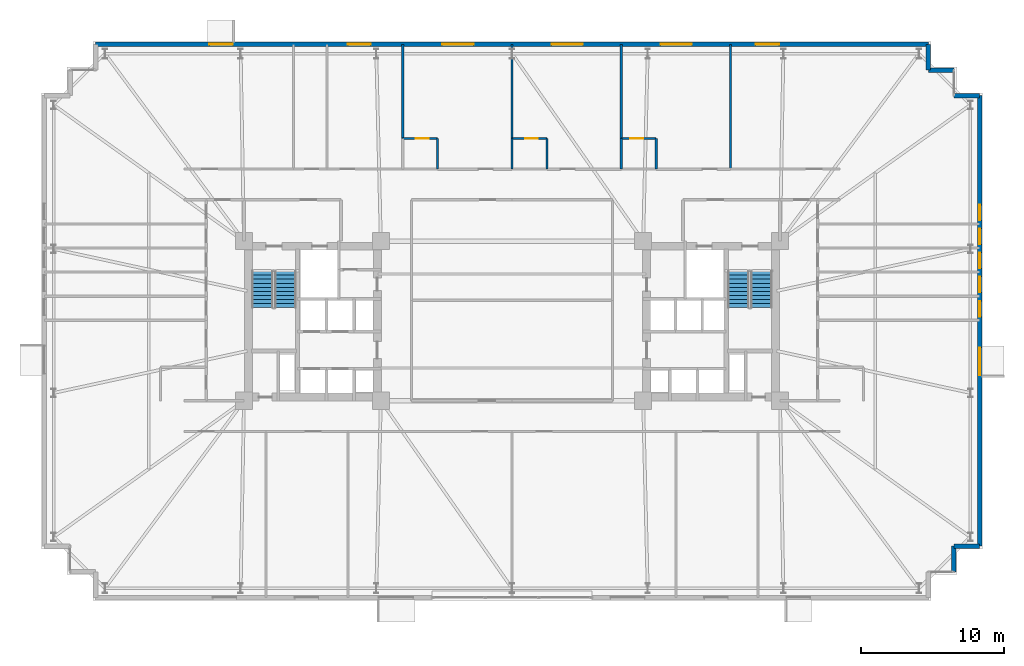
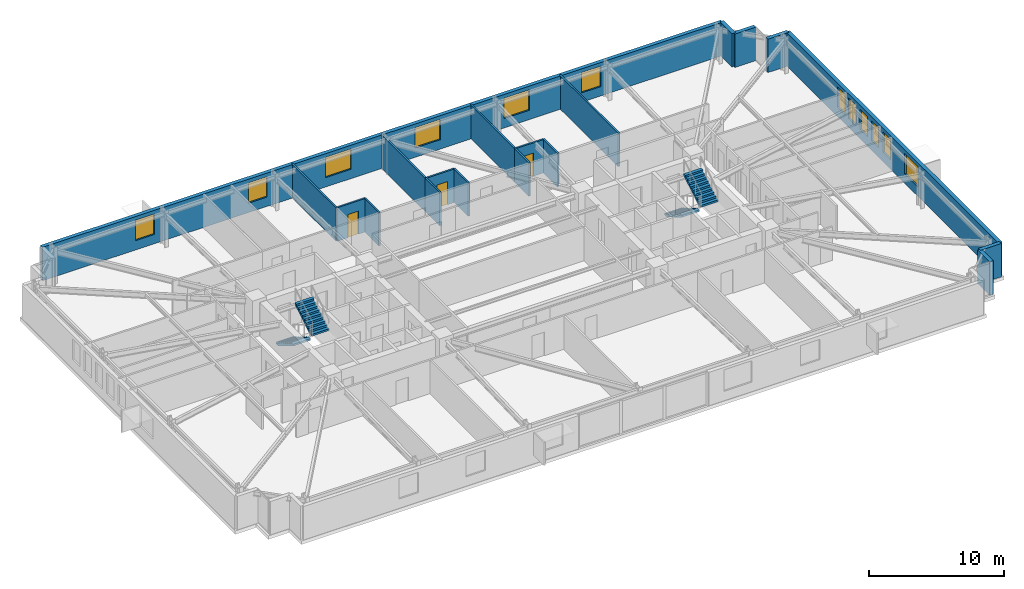
# One storey, part 22 of 24: 19 walls, 12 windows, 4 stair flights, 3 doors, 15 openings, 2 elements without a shape of their own.
"""IFC4 building model written with IfcOpenShell, lengths in metres."""

from ifc_helpers import new_model, si_unit, direction, frame, frame_2d, origin, place, context, subcontext, project, spatial, polyline, rectangle, outline, extrude, material, layer, layer_set, type_object, element, fill, aggregate, save


model = new_model("IFC4")

# Units and contexts
model_context = context("Model", 3, precision=1e-05, world=origin(), true_north=direction((0.0, 1.0)))
body_context = subcontext(model_context, "Body", "Model", "MODEL_VIEW")
ifc_project = project(units=[si_unit("LENGTHUNIT", "METRE"), si_unit("AREAUNIT", "SQUARE_METRE"), si_unit("VOLUMEUNIT", "CUBIC_METRE"), si_unit("PLANEANGLEUNIT", "RADIAN"), si_unit("MASSUNIT", "GRAM", prefix="KILO")], contexts=[model_context])

# Site, building, storey
site_placement = place(None, origin())
site = spatial("IfcSite", under=ifc_project, at=site_placement, CompositionType="ELEMENT")
building_placement = place(site_placement, origin())
building = spatial("IfcBuilding", under=site, at=building_placement, Name="Qobustan Lattice House", CompositionType="ELEMENT")
storey_placement = place(building_placement, frame((0.0, 0.0, 43.75)))
storey = spatial("IfcBuildingStorey", under=building, at=storey_placement, Name="L11", CompositionType="ELEMENT", Elevation=43.75)

# Wall, openings, windows
ifc_material_1 = material(Name="Precast concrete C40/50", Category="concrete")
ifc_layer_1 = layer(ifc_material_1, 0.320068359375)
ifc_layer_set_1 = layer_set([ifc_layer_1], Name="Precast concrete C40/50")
wall_type_1 = type_object("IfcWallType", Name="WAL-EXT-STONE-320", PredefinedType="SOLIDWALL", material=ifc_layer_set_1)
wall_1_placement = place(storey_placement, frame((-29.199951171875, 19.39990234375, 0.0), z_axis=(0.0, 0.0, 1.0), x_axis=(1.0, 0.0, 0.0)))
wall_1 = element("IfcWall", 1, at=wall_1_placement, inside=storey, type_object=wall_type_1, Name="L11 exterior limestone-clad wall 10", PredefinedType="SOLIDWALL", context=body_context, shape_type="SweptSolid", body=[
    extrude(rectangle(XDim=58.39990234375, YDim=0.320068359375, at=frame_2d((29.199951171875, 0.0))), origin(), (0.0, 0.0, 1.0), 3.034912109375),
])
opening_1_placement = place(wall_1_placement, frame((7.972412109375, 0.0, 0.85009765625)))
opening_1 = element("IfcOpeningElement", 2, at=opening_1_placement, cuts=wall_1, Name="Opening WN-09", PredefinedType="OPENING", context=body_context, shape_type="SweptSolid", body=[
    extrude(rectangle(XDim=1.64990234375, YDim=1.85009765625, at=frame_2d((0.824951171875, 0.925048828125))), frame((0.0, 0.169921875, 0.0), z_axis=(0.0, -1.0, 0.0), x_axis=(1.0, 0.0, 0.0)), (0.0, 0.0, 1.0), 0.340087890625),
])
opening_2_placement = place(wall_1_placement, frame((17.69091796875, 0.0, 0.85009765625)))
opening_2 = element("IfcOpeningElement", 3, at=opening_2_placement, cuts=wall_1, Name="Opening WN-13", PredefinedType="OPENING", context=body_context, shape_type="SweptSolid", body=[
    extrude(rectangle(XDim=1.60009765625, YDim=1.85009765625, at=frame_2d((0.800048828125, 0.925048828125))), frame((0.0, 0.169921875, 0.0), z_axis=(0.0, -1.0, 0.0), x_axis=(1.0, 0.0, 0.0)), (0.0, 0.0, 1.0), 0.340087890625),
])
opening_3_placement = place(wall_1_placement, frame((24.300048828125, 0.0, 0.85009765625)))
opening_3 = element("IfcOpeningElement", 4, at=opening_3_placement, cuts=wall_1, Name="Opening WN-03", PredefinedType="OPENING", context=body_context, shape_type="SweptSolid", body=[
    extrude(rectangle(XDim=2.199951171875, YDim=1.85009765625, at=frame_2d((1.10009765625, 0.925048828125))), frame((0.0, 0.169921875, 0.0), z_axis=(0.0, -1.0, 0.0), x_axis=(1.0, 0.0, 0.0)), (0.0, 0.0, 1.0), 0.340087890625),
])
opening_4_placement = place(wall_1_placement, frame((31.97998046875, 0.0, 0.85009765625)))
opening_4 = element("IfcOpeningElement", 5, at=opening_4_placement, cuts=wall_1, Name="Opening WN-03", PredefinedType="OPENING", context=body_context, shape_type="SweptSolid", body=[
    extrude(rectangle(XDim=2.199951171875, YDim=1.85009765625, at=frame_2d((1.10009765625, 0.925048828125))), frame((0.0, 0.169921875, 0.0), z_axis=(0.0, -1.0, 0.0), x_axis=(1.0, 0.0, 0.0)), (0.0, 0.0, 1.0), 0.340087890625),
])
opening_5_placement = place(wall_1_placement, frame((39.6201171875, 0.0, 0.85009765625)))
opening_5 = element("IfcOpeningElement", 6, at=opening_5_placement, cuts=wall_1, Name="Opening WN-03", PredefinedType="OPENING", context=body_context, shape_type="SweptSolid", body=[
    extrude(rectangle(XDim=2.199951171875, YDim=1.85009765625, at=frame_2d((1.10009765625, 0.925048828125))), frame((0.0, 0.169921875, 0.0), z_axis=(0.0, -1.0, 0.0), x_axis=(1.0, 0.0, 0.0)), (0.0, 0.0, 1.0), 0.340087890625),
])
opening_6_placement = place(wall_1_placement, frame((46.29248046875, 0.0, 0.85009765625)))
opening_6 = element("IfcOpeningElement", 7, at=opening_6_placement, cuts=wall_1, Name="Opening WN-09", PredefinedType="OPENING", context=body_context, shape_type="SweptSolid", body=[
    extrude(rectangle(XDim=1.64990234375, YDim=1.85009765625, at=frame_2d((0.824951171875, 0.925048828125))), frame((0.0, 0.169921875, 0.0), z_axis=(0.0, -1.0, 0.0), x_axis=(1.0, 0.0, 0.0)), (0.0, 0.0, 1.0), 0.340087890625),
])
ifc_material_2 = material(Name="Double-glazed low-E aluminium window", Category="aluminium")
window_type_1 = type_object("IfcWindowType", Name="WIN-BED-1600x1850", PartitioningType="SINGLE_PANEL", PredefinedType="WINDOW", material=ifc_material_2)
window_1_placement = place(opening_2_placement, origin())
window_1 = element("IfcWindow", 8, at=window_1_placement, inside=storey, type_object=window_type_1, Name="L11 Laundry utility room window", OverallHeight=1.85009765625, OverallWidth=1.60009765625, PartitioningType="SINGLE_PANEL", PredefinedType="WINDOW", context=body_context, shape_type="SweptSolid", body=[
    extrude(rectangle(XDim=1.60009765625, YDim=1.85009765625, at=frame_2d((0.800048828125, 0.925048828125))), frame((0.0, 0.030029296875, 0.0), z_axis=(0.0, -1.0, 0.0), x_axis=(1.0, 0.0, 0.0)), (0.0, 0.0, 1.0), 0.06005859375),
])
fill(opening_2, window_1)
ifc_material_3 = material(Name="Double-glazed low-E aluminium window", Category="aluminium")
window_type_2 = type_object("IfcWindowType", Name="WIN-STU-1650x1850", PartitioningType="SINGLE_PANEL", PredefinedType="WINDOW", material=ifc_material_3)
window_2_placement = place(opening_1_placement, origin())
window_2 = element("IfcWindow", 9, at=window_2_placement, inside=storey, type_object=window_type_2, Name="L11 Focus study room N1 window", OverallHeight=1.85009765625, OverallWidth=1.64990234375, PartitioningType="SINGLE_PANEL", PredefinedType="WINDOW", context=body_context, shape_type="SweptSolid", body=[
    extrude(rectangle(XDim=1.64990234375, YDim=1.85009765625, at=frame_2d((0.824951171875, 0.925048828125))), frame((0.0, 0.030029296875, 0.0), z_axis=(0.0, -1.0, 0.0), x_axis=(1.0, 0.0, 0.0)), (0.0, 0.0, 1.0), 0.06005859375),
])
fill(opening_1, window_2)
window_3_placement = place(opening_6_placement, origin())
window_3 = element("IfcWindow", 10, at=window_3_placement, inside=storey, type_object=window_type_2, Name="L11 Focus study room N6 window", OverallHeight=1.85009765625, OverallWidth=1.64990234375, PartitioningType="SINGLE_PANEL", PredefinedType="WINDOW", context=body_context, shape_type="SweptSolid", body=[
    extrude(rectangle(XDim=1.64990234375, YDim=1.85009765625, at=frame_2d((0.824951171875, 0.925048828125))), frame((0.0, 0.030029296875, 0.0), z_axis=(0.0, -1.0, 0.0), x_axis=(1.0, 0.0, 0.0)), (0.0, 0.0, 1.0), 0.06005859375),
])
fill(opening_6, window_3)
ifc_material_4 = material(Name="Double-glazed low-E aluminium window", Category="aluminium")
window_type_3 = type_object("IfcWindowType", Name="WIN-WIDE-2200x1850", PartitioningType="SINGLE_PANEL", PredefinedType="WINDOW", material=ifc_material_4)
window_4_placement = place(opening_3_placement, origin())
window_4 = element("IfcWindow", 11, at=window_4_placement, inside=storey, type_object=window_type_3, Name="L11 Kitchenette and studio apartment L11-N3 window", OverallHeight=1.85009765625, OverallWidth=2.199951171875, PartitioningType="SINGLE_PANEL", PredefinedType="WINDOW", context=body_context, shape_type="SweptSolid", body=[
    extrude(rectangle(XDim=2.199951171875, YDim=1.85009765625, at=frame_2d((1.10009765625, 0.925048828125))), frame((0.0, 0.030029296875, 0.0), z_axis=(0.0, -1.0, 0.0), x_axis=(1.0, 0.0, 0.0)), (0.0, 0.0, 1.0), 0.06005859375),
])
fill(opening_3, window_4)
window_5_placement = place(opening_4_placement, origin())
window_5 = element("IfcWindow", 12, at=window_5_placement, inside=storey, type_object=window_type_3, Name="L11 Kitchenette and studio apartment L11-N4 window", OverallHeight=1.85009765625, OverallWidth=2.199951171875, PartitioningType="SINGLE_PANEL", PredefinedType="WINDOW", context=body_context, shape_type="SweptSolid", body=[
    extrude(rectangle(XDim=2.199951171875, YDim=1.85009765625, at=frame_2d((1.10009765625, 0.925048828125))), frame((0.0, 0.030029296875, 0.0), z_axis=(0.0, -1.0, 0.0), x_axis=(1.0, 0.0, 0.0)), (0.0, 0.0, 1.0), 0.06005859375),
])
fill(opening_4, window_5)
window_6_placement = place(opening_5_placement, origin())
window_6 = element("IfcWindow", 13, at=window_6_placement, inside=storey, type_object=window_type_3, Name="L11 Kitchenette and studio apartment L11-N5 window", OverallHeight=1.85009765625, OverallWidth=2.199951171875, PartitioningType="SINGLE_PANEL", PredefinedType="WINDOW", context=body_context, shape_type="SweptSolid", body=[
    extrude(rectangle(XDim=2.199951171875, YDim=1.85009765625, at=frame_2d((1.10009765625, 0.925048828125))), frame((0.0, 0.030029296875, 0.0), z_axis=(0.0, -1.0, 0.0), x_axis=(1.0, 0.0, 0.0)), (0.0, 0.0, 1.0), 0.06005859375),
])
fill(opening_5, window_6)

# Walls
wall_2_placement = place(storey_placement, frame((29.199951171875, 19.39990234375, 0.0), z_axis=(0.0, 0.0, 1.0), x_axis=(0.0, -1.0, 0.0)))
element("IfcWall", 14, at=wall_2_placement, inside=storey, type_object=wall_type_1, Name="L11 exterior limestone-clad wall 11", PredefinedType="SOLIDWALL", context=body_context, shape_type="SweptSolid", body=[
    extrude(rectangle(XDim=1.7998046875, YDim=0.320068359375, at=frame_2d((0.89990234375, 0.0))), origin(), (0.0, 0.0, 1.0), 3.034912109375),
])
for number, where, z_axis, x_axis, name in (
    (15, (29.199951171875, 17.60009765625, 0.0), (0.0, 0.0, 1.0), (1.0, 0.0, 0.0), "L11 exterior limestone-clad wall 12"),
    (16, (31.0, 15.800048828125, 0.0), (0.0, 0.0, 1.0), (1.0, 0.0, 0.0), "L11 exterior limestone-clad wall 14"),
):
    element("IfcWall", number, at=place(storey_placement, frame(where, z_axis=z_axis, x_axis=x_axis)), inside=storey, type_object=wall_type_1, Name=name, PredefinedType="SOLIDWALL", context=body_context, shape_type="SweptSolid", body=[
        extrude(rectangle(XDim=1.800048828125, YDim=0.320068359375, at=frame_2d((0.89990234375, 0.0))), origin(), (0.0, 0.0, 1.0), 3.034912109375),
    ])

# Wall, openings, windows
wall_3_placement = place(storey_placement, frame((32.800048828125, 15.800048828125, 0.0), z_axis=(0.0, 0.0, 1.0), x_axis=(0.0, -1.0, 0.0)))
wall_3 = element("IfcWall", 17, at=wall_3_placement, inside=storey, type_object=wall_type_1, Name="L11 exterior limestone-clad wall 15", PredefinedType="SOLIDWALL", context=body_context, shape_type="SweptSolid", body=[
    extrude(rectangle(XDim=31.60009765625, YDim=0.320068359375, at=frame_2d((15.800048828125, 0.0))), origin(), (0.0, 0.0, 1.0), 3.034912109375),
])
opening_7_placement = place(wall_3_placement, frame((7.64990234375, 0.0, 0.85009765625)))
opening_7 = element("IfcOpeningElement", 18, at=opening_7_placement, cuts=wall_3, Name="Opening WN-04", PredefinedType="OPENING", context=body_context, shape_type="SweptSolid", body=[
    extrude(rectangle(XDim=1.10009765625, YDim=1.85009765625, at=frame_2d((0.550048828125, 0.925048828125))), frame((0.0, 0.169921875, 0.0), z_axis=(0.0, -1.0, 0.0), x_axis=(1.0, 0.0, 0.0)), (0.0, 0.0, 1.0), 0.340087890625),
])
opening_8_placement = place(wall_3_placement, frame((9.330078125, 0.0, 0.85009765625)))
opening_8 = element("IfcOpeningElement", 19, at=opening_8_placement, cuts=wall_3, Name="Opening WN-04", PredefinedType="OPENING", context=body_context, shape_type="SweptSolid", body=[
    extrude(rectangle(XDim=1.10009765625, YDim=1.85009765625, at=frame_2d((0.550048828125, 0.925048828125))), frame((0.0, 0.169921875, 0.0), z_axis=(0.0, -1.0, 0.0), x_axis=(1.0, 0.0, 0.0)), (0.0, 0.0, 1.0), 0.340087890625),
])
opening_9_placement = place(wall_3_placement, frame((11.010009765625, 0.0, 0.85009765625)))
opening_9 = element("IfcOpeningElement", 20, at=opening_9_placement, cuts=wall_3, Name="Opening WN-04", PredefinedType="OPENING", context=body_context, shape_type="SweptSolid", body=[
    extrude(rectangle(XDim=1.10009765625, YDim=1.85009765625, at=frame_2d((0.550048828125, 0.925048828125))), frame((0.0, 0.169921875, 0.0), z_axis=(0.0, -1.0, 0.0), x_axis=(1.0, 0.0, 0.0)), (0.0, 0.0, 1.0), 0.340087890625),
])
opening_10_placement = place(wall_3_placement, frame((12.68994140625, 0.0, 0.85009765625)))
opening_10 = element("IfcOpeningElement", 21, at=opening_10_placement, cuts=wall_3, Name="Opening WN-04", PredefinedType="OPENING", context=body_context, shape_type="SweptSolid", body=[
    extrude(rectangle(XDim=1.10009765625, YDim=1.85009765625, at=frame_2d((0.550048828125, 0.925048828125))), frame((0.0, 0.169921875, 0.0), z_axis=(0.0, -1.0, 0.0), x_axis=(1.0, 0.0, 0.0)), (0.0, 0.0, 1.0), 0.340087890625),
])
opening_11_placement = place(wall_3_placement, frame((14.409912109375, 0.0, 0.85009765625)))
opening_11 = element("IfcOpeningElement", 22, at=opening_11_placement, cuts=wall_3, Name="Opening WN-04", PredefinedType="OPENING", context=body_context, shape_type="SweptSolid", body=[
    extrude(rectangle(XDim=1.10009765625, YDim=1.85009765625, at=frame_2d((0.550048828125, 0.925048828125))), frame((0.0, 0.169921875, 0.0), z_axis=(0.0, -1.0, 0.0), x_axis=(1.0, 0.0, 0.0)), (0.0, 0.0, 1.0), 0.340087890625),
])
opening_12_placement = place(wall_3_placement, frame((17.6650390625, 0.0, 0.85009765625)))
opening_12 = element("IfcOpeningElement", 23, at=opening_12_placement, cuts=wall_3, Name="Opening WN-08", PredefinedType="OPENING", context=body_context, shape_type="SweptSolid", body=[
    extrude(rectangle(XDim=1.949951171875, YDim=1.85009765625, at=frame_2d((0.97509765625, 0.925048828125))), frame((0.0, 0.169921875, 0.0), z_axis=(0.0, -1.0, 0.0), x_axis=(1.0, 0.0, 0.0)), (0.0, 0.0, 1.0), 0.340087890625),
])
ifc_material_5 = material(Name="Double-glazed low-E aluminium window", Category="aluminium")
window_type_4 = type_object("IfcWindowType", Name="WIN-KIT-1950x1850", PartitioningType="SINGLE_PANEL", PredefinedType="WINDOW", material=ifc_material_5)
window_7_placement = place(opening_12_placement, origin())
window_7 = element("IfcWindow", 24, at=window_7_placement, inside=storey, type_object=window_type_4, Name="L11 Shared kitchen L11E window", OverallHeight=1.85009765625, OverallWidth=1.949951171875, PartitioningType="SINGLE_PANEL", PredefinedType="WINDOW", context=body_context, shape_type="SweptSolid", body=[
    extrude(rectangle(XDim=1.949951171875, YDim=1.85009765625, at=frame_2d((0.97509765625, 0.925048828125))), frame((0.0, 0.030029296875, 0.0), z_axis=(0.0, -1.0, 0.0), x_axis=(1.0, 0.0, 0.0)), (0.0, 0.0, 1.0), 0.06005859375),
])
fill(opening_12, window_7)
ifc_material_6 = material(Name="Double-glazed low-E aluminium window", Category="aluminium")
window_type_5 = type_object("IfcWindowType", Name="WIN-NAR-1100x1850", PartitioningType="SINGLE_PANEL", PredefinedType="WINDOW", material=ifc_material_6)
window_8_placement = place(opening_7_placement, origin())
window_8 = element("IfcWindow", 25, at=window_8_placement, inside=storey, type_object=window_type_5, Name="L11 Cluster bedroom L11E5 window", OverallHeight=1.85009765625, OverallWidth=1.10009765625, PartitioningType="SINGLE_PANEL", PredefinedType="WINDOW", context=body_context, shape_type="SweptSolid", body=[
    extrude(rectangle(XDim=1.10009765625, YDim=1.85009765625, at=frame_2d((0.550048828125, 0.925048828125))), frame((0.0, 0.030029296875, 0.0), z_axis=(0.0, -1.0, 0.0), x_axis=(1.0, 0.0, 0.0)), (0.0, 0.0, 1.0), 0.06005859375),
])
fill(opening_7, window_8)
window_9_placement = place(opening_8_placement, origin())
window_9 = element("IfcWindow", 26, at=window_9_placement, inside=storey, type_object=window_type_5, Name="L11 Cluster bedroom L11E4 window", OverallHeight=1.85009765625, OverallWidth=1.10009765625, PartitioningType="SINGLE_PANEL", PredefinedType="WINDOW", context=body_context, shape_type="SweptSolid", body=[
    extrude(rectangle(XDim=1.10009765625, YDim=1.85009765625, at=frame_2d((0.550048828125, 0.925048828125))), frame((0.0, 0.030029296875, 0.0), z_axis=(0.0, -1.0, 0.0), x_axis=(1.0, 0.0, 0.0)), (0.0, 0.0, 1.0), 0.06005859375),
])
fill(opening_8, window_9)
window_10_placement = place(opening_9_placement, origin())
window_10 = element("IfcWindow", 27, at=window_10_placement, inside=storey, type_object=window_type_5, Name="L11 Cluster bedroom L11E3 window", OverallHeight=1.85009765625, OverallWidth=1.10009765625, PartitioningType="SINGLE_PANEL", PredefinedType="WINDOW", context=body_context, shape_type="SweptSolid", body=[
    extrude(rectangle(XDim=1.10009765625, YDim=1.85009765625, at=frame_2d((0.550048828125, 0.925048828125))), frame((0.0, 0.030029296875, 0.0), z_axis=(0.0, -1.0, 0.0), x_axis=(1.0, 0.0, 0.0)), (0.0, 0.0, 1.0), 0.06005859375),
])
fill(opening_9, window_10)
window_11_placement = place(opening_10_placement, origin())
window_11 = element("IfcWindow", 28, at=window_11_placement, inside=storey, type_object=window_type_5, Name="L11 Cluster bedroom L11E2 window", OverallHeight=1.85009765625, OverallWidth=1.10009765625, PartitioningType="SINGLE_PANEL", PredefinedType="WINDOW", context=body_context, shape_type="SweptSolid", body=[
    extrude(rectangle(XDim=1.10009765625, YDim=1.85009765625, at=frame_2d((0.550048828125, 0.925048828125))), frame((0.0, 0.030029296875, 0.0), z_axis=(0.0, -1.0, 0.0), x_axis=(1.0, 0.0, 0.0)), (0.0, 0.0, 1.0), 0.06005859375),
])
fill(opening_10, window_11)
window_12_placement = place(opening_11_placement, origin())
window_12 = element("IfcWindow", 29, at=window_12_placement, inside=storey, type_object=window_type_5, Name="L11 Cluster bedroom L11E1 window", OverallHeight=1.85009765625, OverallWidth=1.10009765625, PartitioningType="SINGLE_PANEL", PredefinedType="WINDOW", context=body_context, shape_type="SweptSolid", body=[
    extrude(rectangle(XDim=1.10009765625, YDim=1.85009765625, at=frame_2d((0.550048828125, 0.925048828125))), frame((0.0, 0.030029296875, 0.0), z_axis=(0.0, -1.0, 0.0), x_axis=(1.0, 0.0, 0.0)), (0.0, 0.0, 1.0), 0.06005859375),
])
fill(opening_11, window_12)

# Walls
for number, where, z_axis, x_axis, name in (
    (30, (32.800048828125, -15.800048828125, 0.0), (0.0, 0.0, 1.0), (-1.0, 0.0, 0.0), "L11 exterior limestone-clad wall 16"),
    (31, (31.0, -15.800048828125, 0.0), (0.0, 0.0, 1.0), (0.0, -1.0, 0.0), "L11 exterior limestone-clad wall 17"),
):
    element("IfcWall", number, at=place(storey_placement, frame(where, z_axis=z_axis, x_axis=x_axis)), inside=storey, type_object=wall_type_1, Name=name, PredefinedType="SOLIDWALL", context=body_context, shape_type="SweptSolid", body=[
        extrude(rectangle(XDim=1.800048828125, YDim=0.320068359375, at=frame_2d((0.89990234375, 0.0))), origin(), (0.0, 0.0, 1.0), 3.034912109375),
    ])
ifc_material_7 = material(Name="Acoustic twin-stud gypsum partition", Category="gypsum")
ifc_layer_2 = layer(ifc_material_7, 0.14990234375)
ifc_layer_set_2 = layer_set([ifc_layer_2], Name="Acoustic twin-stud gypsum partition")
wall_type_2 = type_object("IfcWallType", Name="WAL-PART-150", PredefinedType="PARTITIONING", material=ifc_layer_set_2)
for number, where, z_axis, x_axis, name in (
    (32, (-7.6669921875, 19.39990234375, 0.0), (0.0, 0.0, 1.0), (0.0, -1.0, 0.0), "L11 interior partition 99"),
    (33, (0.0, 19.39990234375, 0.0), (0.0, 0.0, 1.0), (0.0, -1.0, 0.0), "L11 interior partition 103"),
    (34, (7.6669921875, 19.39990234375, 0.0), (0.0, 0.0, 1.0), (0.0, -1.0, 0.0), "L11 interior partition 107"),
):
    element("IfcWall", number, at=place(storey_placement, frame(where, z_axis=z_axis, x_axis=x_axis)), inside=storey, type_object=wall_type_2, Name=name, PredefinedType="PARTITIONING", context=body_context, shape_type="SweptSolid", body=[
        extrude(rectangle(XDim=6.599853515625, YDim=0.14990234375, at=frame_2d((3.2998046875, 0.0))), origin(), (0.0, 0.0, 1.0), 3.034912109375),
    ])
wall_4_placement = place(storey_placement, frame((15.3330078125, 19.39990234375, 0.0), z_axis=(0.0, 0.0, 1.0), x_axis=(0.0, -1.0, 0.0)))
element("IfcWall", 35, at=wall_4_placement, inside=storey, type_object=wall_type_2, Name="L11 interior partition 111", PredefinedType="PARTITIONING", context=body_context, shape_type="SweptSolid", body=[
    extrude(rectangle(XDim=8.75, YDim=0.14990234375, at=frame_2d((4.375, 0.0))), origin(), (0.0, 0.0, 1.0), 3.034912109375),
])

# Wall, opening, door
ifc_material_8 = material(Name="Moisture-resistant acoustic plumbing wall", Category="gypsum")
ifc_layer_3 = layer(ifc_material_8, 0.14990234375)
ifc_layer_set_3 = layer_set([ifc_layer_3], Name="Moisture-resistant acoustic plumbing wall")
wall_type_3 = type_object("IfcWallType", Name="WAL-WET-150", PredefinedType="PLUMBINGWALL", material=ifc_layer_set_3)
wall_5_placement = place(storey_placement, frame((-5.217041015625, 12.800048828125, 0.0), z_axis=(0.0, 0.0, 1.0), x_axis=(-1.0, 0.0, 0.0)))
wall_5 = element("IfcWall", 36, at=wall_5_placement, inside=storey, type_object=wall_type_3, Name="L11 interior partition 101", PredefinedType="PLUMBINGWALL", context=body_context, shape_type="SweptSolid", body=[
    extrude(rectangle(XDim=2.449951171875, YDim=0.14990234375, at=frame_2d((1.22509765625, 0.0))), origin(), (0.0, 0.0, 1.0), 3.034912109375),
])
opening_13_placement = place(wall_5_placement, frame((0.62890625, 0.0, 0.0)))
opening_13 = element("IfcOpeningElement", 37, at=opening_13_placement, cuts=wall_5, Name="Opening WD-01", PredefinedType="OPENING", context=body_context, shape_type="SweptSolid", body=[
    extrude(rectangle(XDim=0.89990234375, YDim=2.10009765625, at=frame_2d((0.449951171875, 1.050048828125))), frame((0.0, 0.0849609375, 0.0), z_axis=(0.0, -1.0, 0.0), x_axis=(1.0, 0.0, 0.0)), (0.0, 0.0, 1.0), 0.169921875),
])
ifc_material_9 = material(Name="Persian walnut timber and steel frame door", Category="steel")
door_type = type_object("IfcDoorType", Name="DOR-WET-900x2100", OperationType="NOTDEFINED", PredefinedType="DOOR", material=ifc_material_9)
door_1_placement = place(opening_13_placement, origin())
door_1 = element("IfcDoor", 38, at=door_1_placement, inside=storey, type_object=door_type, Name="L11 Kitchenette and studio apartment L11-N3 to En-suite bathroom L11-N3 door", OperationType="SINGLE_SWING_LEFT", OverallHeight=2.10009765625, OverallWidth=0.89990234375, PredefinedType="DOOR", context=body_context, shape_type="SweptSolid", body=[
    extrude(rectangle(XDim=0.89990234375, YDim=2.10009765625, at=frame_2d((0.449951171875, 1.050048828125))), frame((0.0, 0.02490234375, 0.0), z_axis=(0.0, -1.0, 0.0), x_axis=(1.0, 0.0, 0.0)), (0.0, 0.0, 1.0), 0.050048828125),
])
fill(opening_13, door_1)

# Walls
for number, where, z_axis, x_axis, name in (
    (39, (-5.217041015625, 10.64990234375, 0.0), (0.0, 0.0, 1.0), (0.0, 1.0, 0.0), "L11 interior partition 102"),
    (40, (0.0, 12.800048828125, 0.0), (0.0, 0.0, 1.0), (0.0, -1.0, 0.0), "L11 interior partition 104"),
):
    element("IfcWall", number, at=place(storey_placement, frame(where, z_axis=z_axis, x_axis=x_axis)), inside=storey, type_object=wall_type_3, Name=name, PredefinedType="PLUMBINGWALL", context=body_context, shape_type="SweptSolid", body=[
        extrude(rectangle(XDim=2.150146484375, YDim=0.14990234375, at=frame_2d((1.0751953125, 0.0))), origin(), (0.0, 0.0, 1.0), 3.034912109375),
    ])

# Wall, opening, door
wall_6_placement = place(storey_placement, frame((2.449951171875, 12.800048828125, 0.0), z_axis=(0.0, 0.0, 1.0), x_axis=(-1.0, 0.0, 0.0)))
wall_6 = element("IfcWall", 41, at=wall_6_placement, inside=storey, type_object=wall_type_3, Name="L11 interior partition 105", PredefinedType="PLUMBINGWALL", context=body_context, shape_type="SweptSolid", body=[
    extrude(rectangle(XDim=2.449951171875, YDim=0.14990234375, at=frame_2d((1.22509765625, 0.0))), origin(), (0.0, 0.0, 1.0), 3.034912109375),
])
opening_14_placement = place(wall_6_placement, frame((0.62890625, 0.0, 0.0)))
opening_14 = element("IfcOpeningElement", 42, at=opening_14_placement, cuts=wall_6, Name="Opening WD-01", PredefinedType="OPENING", context=body_context, shape_type="SweptSolid", body=[
    extrude(rectangle(XDim=0.89990234375, YDim=2.10009765625, at=frame_2d((0.449951171875, 1.050048828125))), frame((0.0, 0.0849609375, 0.0), z_axis=(0.0, -1.0, 0.0), x_axis=(1.0, 0.0, 0.0)), (0.0, 0.0, 1.0), 0.169921875),
])
door_2_placement = place(opening_14_placement, origin())
door_2 = element("IfcDoor", 43, at=door_2_placement, inside=storey, type_object=door_type, Name="L11 Kitchenette and studio apartment L11-N4 to En-suite bathroom L11-N4 door", OperationType="SINGLE_SWING_RIGHT", OverallHeight=2.10009765625, OverallWidth=0.89990234375, PredefinedType="DOOR", context=body_context, shape_type="SweptSolid", body=[
    extrude(rectangle(XDim=0.89990234375, YDim=2.10009765625, at=frame_2d((0.449951171875, 1.050048828125))), frame((0.0, 0.02490234375, 0.0), z_axis=(0.0, -1.0, 0.0), x_axis=(1.0, 0.0, 0.0)), (0.0, 0.0, 1.0), 0.050048828125),
])
fill(opening_14, door_2)

# Walls
for number, where, z_axis, x_axis, name in (
    (44, (2.449951171875, 10.64990234375, 0.0), (0.0, 0.0, 1.0), (0.0, 1.0, 0.0), "L11 interior partition 106"),
    (45, (7.6669921875, 12.800048828125, 0.0), (0.0, 0.0, 1.0), (0.0, -1.0, 0.0), "L11 interior partition 108"),
):
    element("IfcWall", number, at=place(storey_placement, frame(where, z_axis=z_axis, x_axis=x_axis)), inside=storey, type_object=wall_type_3, Name=name, PredefinedType="PLUMBINGWALL", context=body_context, shape_type="SweptSolid", body=[
        extrude(rectangle(XDim=2.150146484375, YDim=0.14990234375, at=frame_2d((1.0751953125, 0.0))), origin(), (0.0, 0.0, 1.0), 3.034912109375),
    ])

# Wall, opening, door
wall_7_placement = place(storey_placement, frame((10.116943359375, 12.800048828125, 0.0), z_axis=(0.0, 0.0, 1.0), x_axis=(-1.0, 0.0, 0.0)))
wall_7 = element("IfcWall", 46, at=wall_7_placement, inside=storey, type_object=wall_type_3, Name="L11 interior partition 109", PredefinedType="PLUMBINGWALL", context=body_context, shape_type="SweptSolid", body=[
    extrude(rectangle(XDim=2.449951171875, YDim=0.14990234375, at=frame_2d((1.22509765625, 0.0))), origin(), (0.0, 0.0, 1.0), 3.034912109375),
])
opening_15_placement = place(wall_7_placement, frame((0.92138671875, 0.0, 0.0)))
opening_15 = element("IfcOpeningElement", 47, at=opening_15_placement, cuts=wall_7, Name="Opening WD-01", PredefinedType="OPENING", context=body_context, shape_type="SweptSolid", body=[
    extrude(rectangle(XDim=0.89990234375, YDim=2.10009765625, at=frame_2d((0.449951171875, 1.050048828125))), frame((0.0, 0.0849609375, 0.0), z_axis=(0.0, -1.0, 0.0), x_axis=(1.0, 0.0, 0.0)), (0.0, 0.0, 1.0), 0.169921875),
])
door_3_placement = place(opening_15_placement, origin())
door_3 = element("IfcDoor", 48, at=door_3_placement, inside=storey, type_object=door_type, Name="L11 Kitchenette and studio apartment L11-N5 to En-suite bathroom L11-N5 door", OperationType="SINGLE_SWING_LEFT", OverallHeight=2.10009765625, OverallWidth=0.89990234375, PredefinedType="DOOR", context=body_context, shape_type="SweptSolid", body=[
    extrude(rectangle(XDim=0.89990234375, YDim=2.10009765625, at=frame_2d((0.449951171875, 1.050048828125))), frame((0.0, 0.02490234375, 0.0), z_axis=(0.0, -1.0, 0.0), x_axis=(1.0, 0.0, 0.0)), (0.0, 0.0, 1.0), 0.050048828125),
])
fill(opening_15, door_3)

# Wall
wall_8_placement = place(storey_placement, frame((10.116943359375, 10.64990234375, 0.0), z_axis=(0.0, 0.0, 1.0), x_axis=(0.0, 1.0, 0.0)))
element("IfcWall", 49, at=wall_8_placement, inside=storey, type_object=wall_type_3, Name="L11 interior partition 110", PredefinedType="PLUMBINGWALL", context=body_context, shape_type="SweptSolid", body=[
    extrude(rectangle(XDim=2.150146484375, YDim=0.14990234375, at=frame_2d((1.0751953125, 0.0))), origin(), (0.0, 0.0, 1.0), 3.034912109375),
])

# Stair, stair flights
ifc_material_10 = material(Name="Concrete C40/50", Category="concrete")
stair_type = type_object("IfcStairType", Name="STR-CORE-DOGLEG", PredefinedType="HALF_TURN_STAIR", material=ifc_material_10)
stair_1_placement = place(storey_placement, origin())
stair_1 = element("IfcStair", 50, at=stair_1_placement, inside=storey, type_object=stair_type, Name="L11 West protected exit stair ST-W1", PredefinedType="HALF_TURN_STAIR")
ifc_material_11 = material(Name="Concrete C40/50", Category="concrete")
stair_flight_type = type_object("IfcStairFlightType", Name="SFL-RC-1500", PredefinedType="STRAIGHT", material=ifc_material_11)
stair_flight_1_placement = place(storey_placement, frame((-17.5, 3.5, 0.0), z_axis=(0.0, 0.0, 1.0), x_axis=(0.0, -1.0, 0.0)))
stair_flight_1 = element("IfcStairFlight", 51, at=stair_flight_1_placement, type_object=stair_flight_type, Name="ST-W1 flight 1", NumberOfRisers=10, NumberOfTreads=9, PredefinedType="STRAIGHT", RiserHeight=0.1675, TreadLength=0.285, context=body_context, shape_type="SweptSolid", body=[
    extrude(outline(polyline([(0.0, 0.0), (0.0, 0.16748046875), (0.284912109375, 0.16748046875), (0.284912109375, 0.3349609375), (0.570068359375, 0.3349609375), (0.570068359375, 0.50244140625), (0.85498046875, 0.50244140625), (0.85498046875, 0.669921875), (1.139892578125, 0.669921875), (1.139892578125, 0.83740234375), (1.425048828125, 0.83740234375), (1.425048828125, 1.0048828125), (1.7099609375, 1.0048828125), (1.7099609375, 1.172607421875), (1.9951171875, 1.172607421875), (1.9951171875, 1.340087890625), (2.280029296875, 1.340087890625), (2.280029296875, 1.507568359375), (2.56494140625, 1.507568359375), (2.56494140625, 1.675048828125), (2.56494140625, 1.333740234375), (0.2958984375, 0.0), (0.0, 0.0)])), frame((0.0, 0.75, 0.0), z_axis=(0.0, -1.0, 0.0), x_axis=(1.0, 0.0, 0.0)), (0.0, 0.0, 1.0), 1.5),
])
stair_flight_2_placement = place(storey_placement, frame((-15.8798828125, 0.93505859375, 1.675048828125), z_axis=(0.0, 0.0, 1.0), x_axis=(0.0, 1.0, 0.0)))
stair_flight_2 = element("IfcStairFlight", 52, at=stair_flight_2_placement, type_object=stair_flight_type, Name="ST-W1 flight 2", NumberOfRisers=10, NumberOfTreads=9, PredefinedType="STRAIGHT", RiserHeight=0.1675, TreadLength=0.285, context=body_context, shape_type="SweptSolid", body=[
    extrude(outline(polyline([(0.0, 0.0), (0.0, 0.16748046875), (0.284912109375, 0.16748046875), (0.284912109375, 0.3349609375), (0.570068359375, 0.3349609375), (0.570068359375, 0.50244140625), (0.85498046875, 0.50244140625), (0.85498046875, 0.669921875), (1.139892578125, 0.669921875), (1.139892578125, 0.83740234375), (1.425048828125, 0.83740234375), (1.425048828125, 1.0048828125), (1.7099609375, 1.0048828125), (1.7099609375, 1.172607421875), (1.9951171875, 1.172607421875), (1.9951171875, 1.340087890625), (2.280029296875, 1.340087890625), (2.280029296875, 1.507568359375), (2.56494140625, 1.507568359375), (2.56494140625, 1.675048828125), (2.56494140625, 1.333740234375), (0.2958984375, 0.0), (0.0, 0.0)])), frame((0.0, 0.75, 0.0), z_axis=(0.0, -1.0, 0.0), x_axis=(1.0, 0.0, 0.0)), (0.0, 0.0, 1.0), 1.5),
])
aggregate(stair_1, [stair_flight_1, stair_flight_2])

stair_2_placement = place(storey_placement, origin())
stair_2 = element("IfcStair", 53, at=stair_2_placement, inside=storey, type_object=stair_type, Name="L11 East protected exit stair ST-E1", PredefinedType="HALF_TURN_STAIR")
stair_flight_3_placement = place(storey_placement, frame((15.8798828125, 3.5, 0.0), z_axis=(0.0, 0.0, 1.0), x_axis=(0.0, -1.0, 0.0)))
stair_flight_3 = element("IfcStairFlight", 54, at=stair_flight_3_placement, type_object=stair_flight_type, Name="ST-E1 flight 1", NumberOfRisers=10, NumberOfTreads=9, PredefinedType="STRAIGHT", RiserHeight=0.1675, TreadLength=0.285, context=body_context, shape_type="SweptSolid", body=[
    extrude(outline(polyline([(0.0, 0.0), (0.0, 0.16748046875), (0.284912109375, 0.16748046875), (0.284912109375, 0.3349609375), (0.570068359375, 0.3349609375), (0.570068359375, 0.50244140625), (0.85498046875, 0.50244140625), (0.85498046875, 0.669921875), (1.139892578125, 0.669921875), (1.139892578125, 0.83740234375), (1.425048828125, 0.83740234375), (1.425048828125, 1.0048828125), (1.7099609375, 1.0048828125), (1.7099609375, 1.172607421875), (1.9951171875, 1.172607421875), (1.9951171875, 1.340087890625), (2.280029296875, 1.340087890625), (2.280029296875, 1.507568359375), (2.56494140625, 1.507568359375), (2.56494140625, 1.675048828125), (2.56494140625, 1.333740234375), (0.2958984375, 0.0), (0.0, 0.0)])), frame((0.0, 0.75, 0.0), z_axis=(0.0, -1.0, 0.0), x_axis=(1.0, 0.0, 0.0)), (0.0, 0.0, 1.0), 1.5),
])
stair_flight_4_placement = place(storey_placement, frame((17.5, 0.93505859375, 1.675048828125), z_axis=(0.0, 0.0, 1.0), x_axis=(0.0, 1.0, 0.0)))
stair_flight_4 = element("IfcStairFlight", 55, at=stair_flight_4_placement, type_object=stair_flight_type, Name="ST-E1 flight 2", NumberOfRisers=10, NumberOfTreads=9, PredefinedType="STRAIGHT", RiserHeight=0.1675, TreadLength=0.285, context=body_context, shape_type="SweptSolid", body=[
    extrude(outline(polyline([(0.0, 0.0), (0.0, 0.16748046875), (0.284912109375, 0.16748046875), (0.284912109375, 0.3349609375), (0.570068359375, 0.3349609375), (0.570068359375, 0.50244140625), (0.85498046875, 0.50244140625), (0.85498046875, 0.669921875), (1.139892578125, 0.669921875), (1.139892578125, 0.83740234375), (1.425048828125, 0.83740234375), (1.425048828125, 1.0048828125), (1.7099609375, 1.0048828125), (1.7099609375, 1.172607421875), (1.9951171875, 1.172607421875), (1.9951171875, 1.340087890625), (2.280029296875, 1.340087890625), (2.280029296875, 1.507568359375), (2.56494140625, 1.507568359375), (2.56494140625, 1.675048828125), (2.56494140625, 1.333740234375), (0.2958984375, 0.0), (0.0, 0.0)])), frame((0.0, 0.75, 0.0), z_axis=(0.0, -1.0, 0.0), x_axis=(1.0, 0.0, 0.0)), (0.0, 0.0, 1.0), 1.5),
])
aggregate(stair_2, [stair_flight_3, stair_flight_4])

save(model, "model.ifc")
